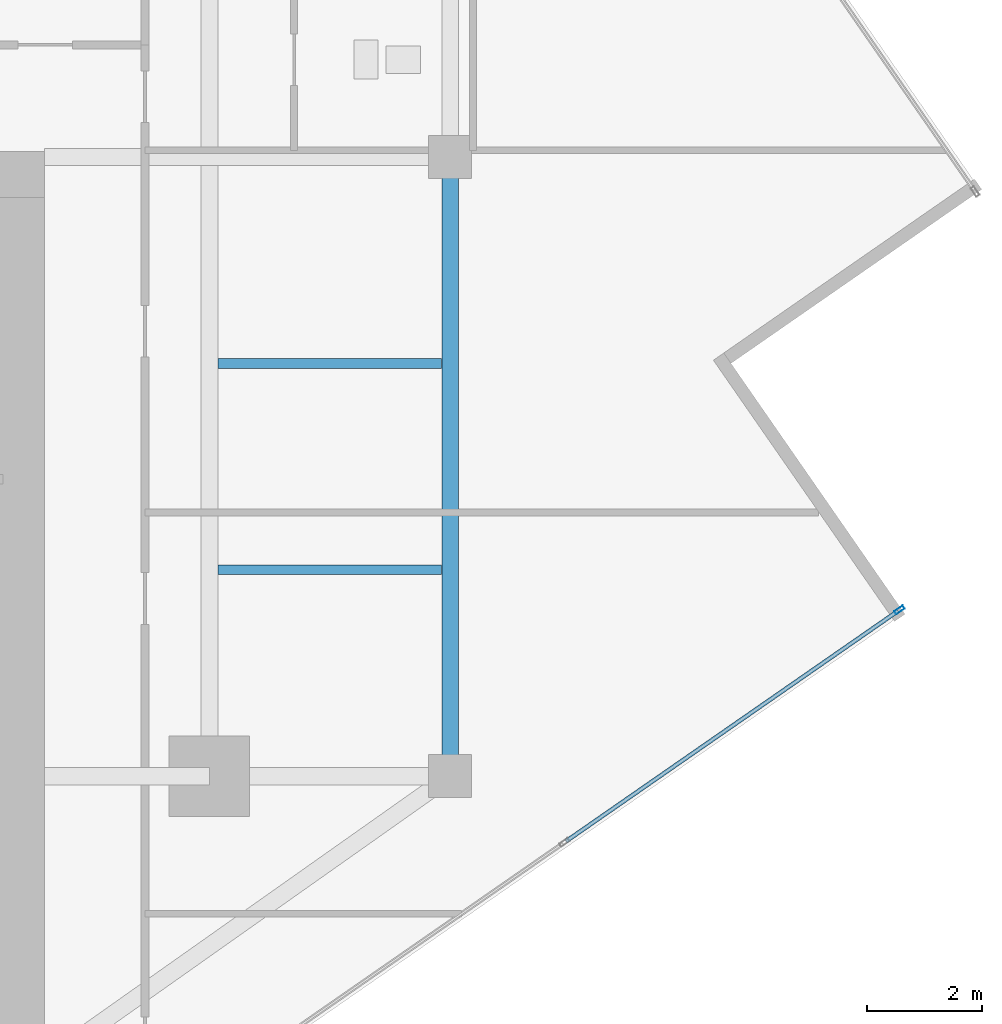
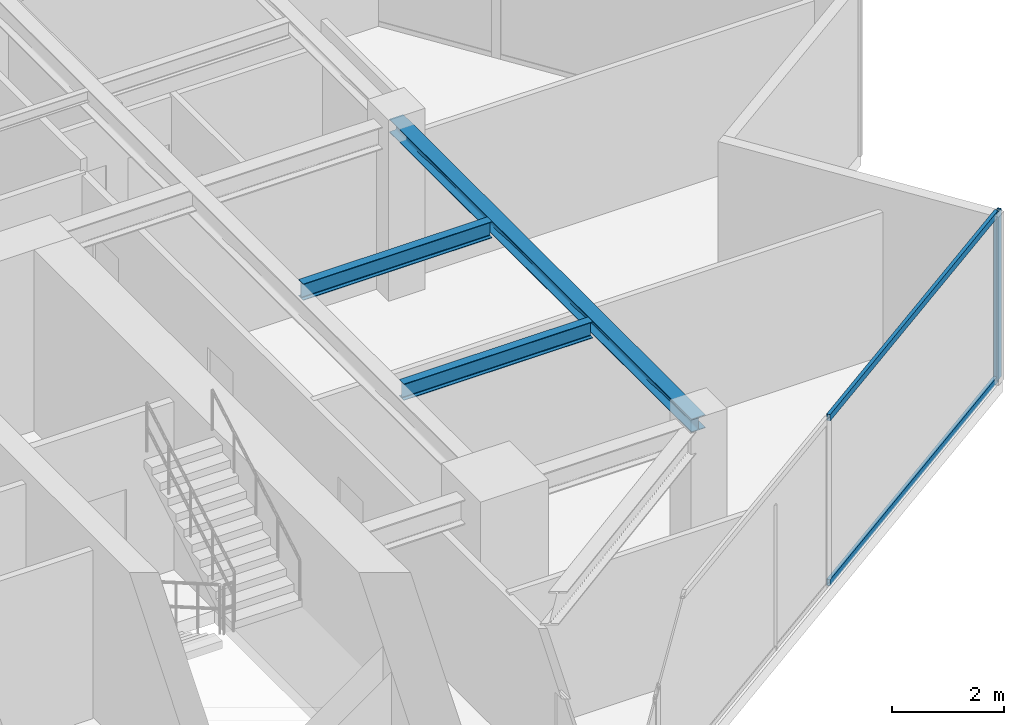
# One storey, part 9 of 21: 3 beams, 3 members, 1 element without a shape of its own.
"""IFC4 building model written with IfcOpenShell, lengths in metres."""

from ifc_helpers import new_model, si_unit, direction, frame, origin, origin_2d, place, context, subcontext, project, spatial, hollow_rectangle, i_section, extrude, source, transform, mapped, material, material_profile, profile_set, type_object, type_shapes, element, aggregate, save


model = new_model("IFC4")

# Units and contexts
model_context = context("Model", 3, precision=1e-05, world=origin(), true_north=direction((0.0, 1.0)))
body_context = subcontext(model_context, "Body", "Model", "MODEL_VIEW")
ifc_project = project(units=[si_unit("LENGTHUNIT", "METRE"), si_unit("AREAUNIT", "SQUARE_METRE"), si_unit("VOLUMEUNIT", "CUBIC_METRE"), si_unit("PLANEANGLEUNIT", "RADIAN"), si_unit("MASSUNIT", "GRAM", prefix="KILO")], contexts=[model_context])

# Site, building, storey
site_placement = place(None, origin())
site = spatial("IfcSite", under=ifc_project, at=site_placement, CompositionType="ELEMENT")
building_placement = place(site_placement, origin())
building = spatial("IfcBuilding", under=site, at=building_placement, Name="Krantzveldt Concourse Tower", CompositionType="ELEMENT")
storey_placement = place(building_placement, frame((0.0, 0.0, 271.35009765625)))
storey = spatial("IfcBuildingStorey", under=building, at=storey_placement, Name="L66", CompositionType="ELEMENT", Elevation=271.35009765625)

# Beams
ifc_material_1 = material(Name="Steel S355JR", Category="steel")
ifc_material_profile_1 = material_profile(ifc_material_1, i_section(OverallWidth=0.2900390625, OverallDepth=0.2900390625, WebThickness=0.008544921875, FlangeThickness=0.013916015625, FilletRadius=0.027099609375, at=origin_2d()), Name="Steel S355JR", Category="steel")
ifc_profile_set_1 = profile_set([ifc_material_profile_1], Name="Steel S355JR - HEA 300")
beam_type_1 = type_object("IfcBeamType", Name="BM-SP-HEA300", PredefinedType="SPANDREL", material=ifc_profile_set_1)
shared_shape_1 = source(origin(), body_context, "Body", "SweptSolid", [
    extrude(i_section(OverallWidth=0.2900390625, OverallDepth=0.2900390625, WebThickness=0.008544921875, FlangeThickness=0.013916015625, FilletRadius=0.027099609375, at=origin_2d()), origin(), (0.0, 0.0, 1.0), 10.800048828125),
])
type_shapes(beam_type_1, [shared_shape_1])
beam_placement = place(storey_placement, frame((51.0, 26.699951171875, 3.52490234375), z_axis=(0.0, -1.0, 0.0), x_axis=(1.0, 0.0, 0.0)))
element("IfcBeam", 1, at=beam_placement, inside=storey, type_object=beam_type_1, Name="L66 Tower Girder SP-R07", PredefinedType="SPANDREL", context=body_context, shape_type="MappedRepresentation", body=[
    mapped(shared_shape_1, transform((0.0, 0.0, 0.0), x_axis=(1.0, 0.0, 0.0), y_axis=(0.0, 1.0, 0.0), z_axis=(0.0, 0.0, 1.0), scale=1.0)),
])
ifc_material_profile_2 = material_profile(ifc_material_1, i_section(OverallWidth=0.169921875, OverallDepth=0.360107421875, WebThickness=0.008056640625, FlangeThickness=0.0126953125, FilletRadius=0.01806640625, at=origin_2d()), Name="Steel S355JR", Category="steel")
ifc_profile_set_2 = profile_set([ifc_material_profile_2], Name="Steel S355JR - IPE 360")
beam_type_2 = type_object("IfcBeamType", Name="BM-J-IPE360", PredefinedType="JOIST", material=ifc_profile_set_2)
shared_shape_2 = source(origin(), body_context, "Body", "SweptSolid", [
    extrude(i_section(OverallWidth=0.169921875, OverallDepth=0.360107421875, WebThickness=0.008056640625, FlangeThickness=0.0126953125, FilletRadius=0.01806640625, at=origin_2d()), origin(), (0.0, 0.0, 1.0), 3.900146484375),
])
type_shapes(beam_type_2, [shared_shape_2])
for number, where, z_axis, x_axis, name in (
    (2, (46.949951171875, 19.5, 3.489990234375), (1.0, 0.0, 0.0), (0.0, 1.0, 0.0), "L66 Secondary Floor Joist JE-1"),
    (3, (46.949951171875, 23.10009765625, 3.489990234375), (1.0, 0.0, 0.0), (0.0, 1.0, 0.0), "L66 Secondary Floor Joist JE-2"),
):
    element("IfcBeam", number, at=place(storey_placement, frame(where, z_axis=z_axis, x_axis=x_axis)), inside=storey, type_object=beam_type_2, Name=name, PredefinedType="JOIST", context=body_context, shape_type="MappedRepresentation", body=[
        mapped(shared_shape_2, transform((0.0, 0.0, 0.0), x_axis=(1.0, 0.0, 0.0), y_axis=(0.0, 1.0, 0.0), z_axis=(0.0, 0.0, 1.0), scale=1.0)),
    ])

# Curtain wall, members
ifc_material_2 = material(Name="Anodised aluminium 6063-T6", Category="aluminium")
curtain_wall_type = type_object("IfcCurtainWallType", Name="CW4", PredefinedType="USERDEFINED", material=ifc_material_2)
curtain_wall_placement = place(storey_placement, origin())
curtain_wall = element("IfcCurtainWall", 4, at=curtain_wall_placement, inside=storey, type_object=curtain_wall_type, Name="CW-L66-F11", ObjectType="UNITISED CURTAIN WALL", PredefinedType="USERDEFINED")
ifc_material_profile_3 = material_profile(ifc_material_2, hollow_rectangle(XDim=0.070068359375, YDim=0.179931640625, WallThickness=0.0048828125, at=origin_2d()), Name="Anodised aluminium 6063-T6", Category="aluminium")
ifc_profile_set_3 = profile_set([ifc_material_profile_3], Name="Anodised aluminium 6063-T6 - ALU-MULL 180x70x5")
member_type_1 = type_object("IfcMemberType", Name="CW-MUL-180", PredefinedType="MULLION", material=ifc_profile_set_3)
shared_shape_3 = source(origin(), body_context, "Body", "SweptSolid", [
    extrude(hollow_rectangle(XDim=0.070068359375, YDim=0.179931640625, WallThickness=0.0048828125, at=origin_2d()), origin(), (0.0, 0.0, 1.0), 3.669921875),
])
type_shapes(member_type_1, [shared_shape_3])
member_1_placement = place(storey_placement, frame((58.841552734375, 18.80078125, 0.0), z_axis=(0.0, 0.0, 1.0), x_axis=(-0.569996627395, 0.821647031735, 0.0)))
member_1 = element("IfcMember", 5, at=member_1_placement, type_object=member_type_1, Name="CW-Z56 mullion 5", PredefinedType="MULLION", context=body_context, shape_type="MappedRepresentation", body=[
    mapped(shared_shape_3, transform((0.0, 0.0, 0.0), x_axis=(1.0, 0.0, 0.0), y_axis=(0.0, 1.0, 0.0), z_axis=(0.0, 0.0, 1.0), scale=1.0)),
])
ifc_material_profile_4 = material_profile(ifc_material_2, hollow_rectangle(XDim=0.070068359375, YDim=0.139892578125, WallThickness=0.0048828125, at=origin_2d()), Name="Anodised aluminium 6063-T6", Category="aluminium")
ifc_profile_set_4 = profile_set([ifc_material_profile_4], Name="Anodised aluminium 6063-T6 - ALU-TRAN 140x70x5")
member_type_2 = type_object("IfcMemberType", Name="CW-TRN-150", PredefinedType="USERDEFINED", material=ifc_profile_set_4)
shared_shape_4 = source(origin(), body_context, "Body", "SweptSolid", [
    extrude(hollow_rectangle(XDim=0.070068359375, YDim=0.139892578125, WallThickness=0.0048828125, at=origin_2d()), origin(), (0.0, 0.0, 1.0), 7.045166015625),
])
type_shapes(member_type_2, [shared_shape_4])
member_2_placement = place(storey_placement, frame((53.024169921875, 14.76513671875, 0.034912109375), z_axis=(0.821650382926, 0.569991796641, 0.0), x_axis=(-0.569991796641, 0.821650382926, 0.0)))
member_2 = element("IfcMember", 6, at=member_2_placement, type_object=member_type_2, Name="CW-Z56 transom 4.1", ObjectType="TRANSOM", PredefinedType="USERDEFINED", context=body_context, shape_type="MappedRepresentation", body=[
    mapped(shared_shape_4, transform((0.0, 0.0, 0.0), x_axis=(1.0, 0.0, 0.0), y_axis=(0.0, 1.0, 0.0), z_axis=(0.0, 0.0, 1.0), scale=1.0)),
])
member_3_placement = place(storey_placement, frame((53.024169921875, 14.76513671875, 3.635009765625), z_axis=(0.821650382926, 0.569991796641, 0.0), x_axis=(-0.569991796641, 0.821650382926, 0.0)))
member_3 = element("IfcMember", 7, at=member_3_placement, type_object=member_type_2, Name="CW-Z56 transom 4.2", ObjectType="TRANSOM", PredefinedType="USERDEFINED", context=body_context, shape_type="MappedRepresentation", body=[
    mapped(shared_shape_4, transform((0.0, 0.0, 0.0), x_axis=(1.0, 0.0, 0.0), y_axis=(0.0, 1.0, 0.0), z_axis=(0.0, 0.0, 1.0), scale=1.0)),
])
aggregate(curtain_wall, [member_1, member_2, member_3])

save(model, "model.ifc")
